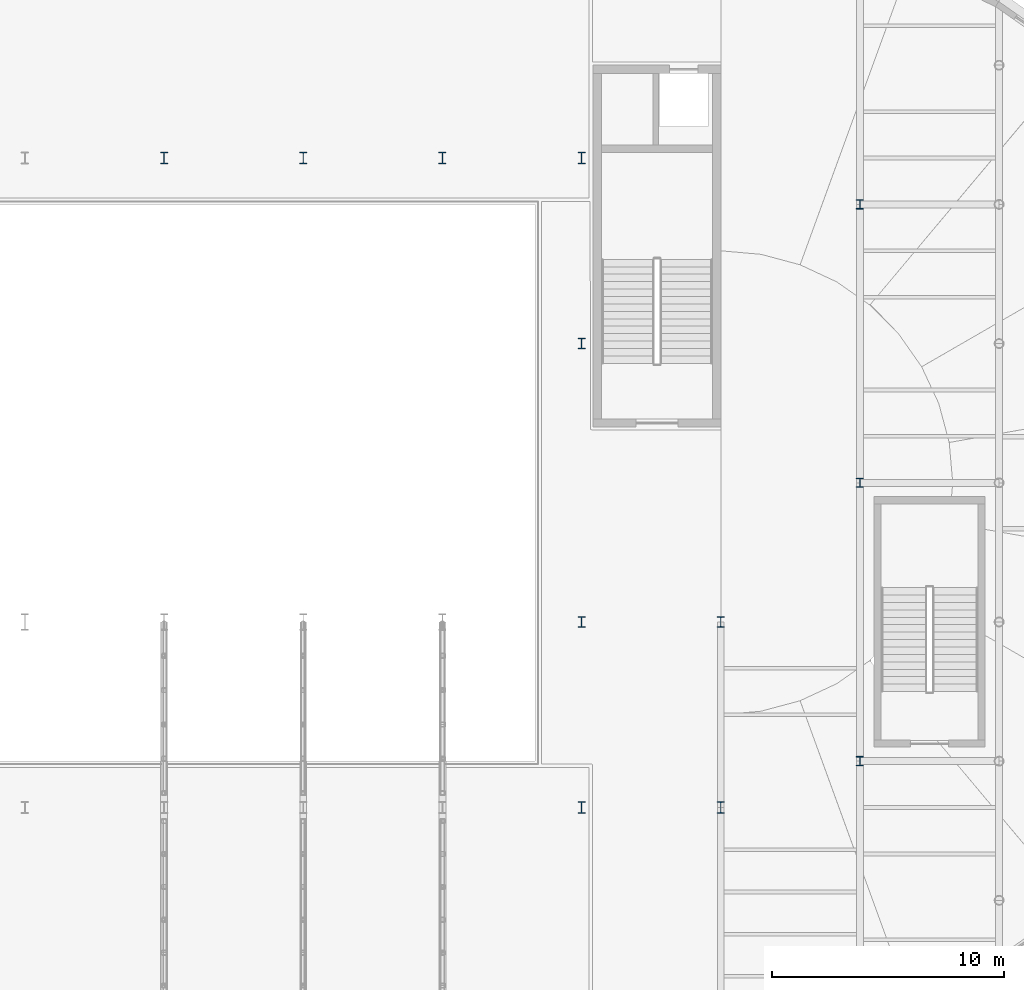
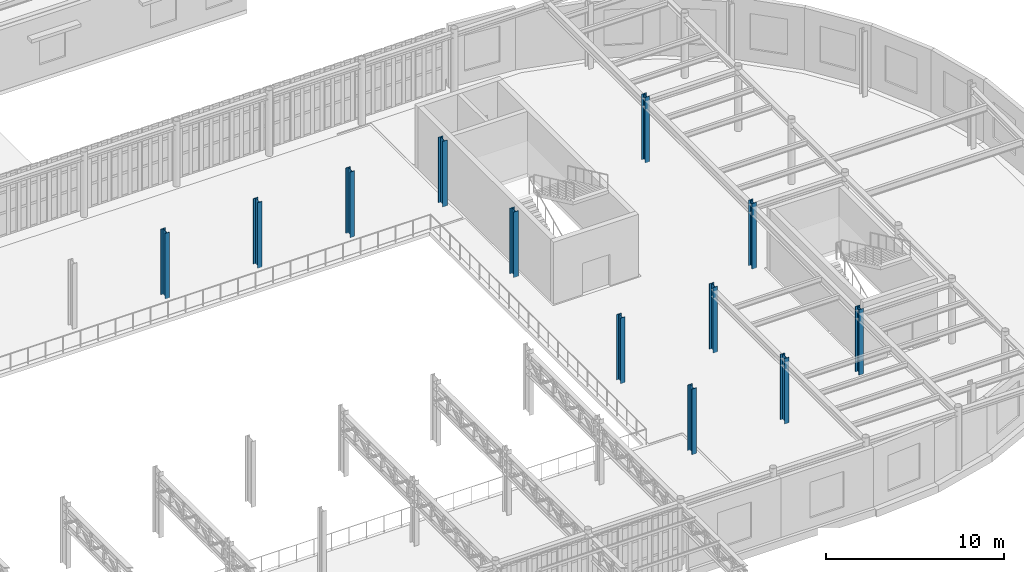
# One storey, part 8 of 91: 12 columns.
"""IFC4 building model written with IfcOpenShell, lengths in metres."""

from ifc_helpers import new_model, si_unit, direction, frame, origin, origin_2d, place, context, subcontext, project, spatial, i_section, extrude, material, material_profile, profile_set, type_object, element, save


model = new_model("IFC4")

# Units and contexts
model_context = context("Model", 3, precision=1e-05, world=origin(), true_north=direction((0.0, 1.0)))
body_context = subcontext(model_context, "Body", "Model", "MODEL_VIEW")
ifc_project = project(units=[si_unit("LENGTHUNIT", "METRE"), si_unit("AREAUNIT", "SQUARE_METRE"), si_unit("VOLUMEUNIT", "CUBIC_METRE"), si_unit("PLANEANGLEUNIT", "RADIAN"), si_unit("MASSUNIT", "GRAM", prefix="KILO")], contexts=[model_context])

# Site, building, storey
site_placement = place(None, origin())
site = spatial("IfcSite", under=ifc_project, at=site_placement, CompositionType="ELEMENT")
building_placement = place(site_placement, origin())
building = spatial("IfcBuilding", under=site, at=building_placement, Name="Kolvaren Corner Interchange", CompositionType="ELEMENT")
storey_placement = place(building_placement, frame((0.0, 0.0, 6.0)))
storey = spatial("IfcBuildingStorey", under=building, at=storey_placement, Name="L02", CompositionType="ELEMENT", Elevation=6.0)

# Columns
ifc_material_1 = material(Name="Steel S355", Category="steel")
ifc_material_profile_1 = material_profile(ifc_material_1, i_section(OverallWidth=0.300048828125, OverallDepth=0.39990234375, WebThickness=0.013427734375, FlangeThickness=0.02392578125, FilletRadius=0.027099609375, at=origin_2d()), Name="HEB 400")
ifc_profile_set_1 = profile_set([ifc_material_profile_1], Name="Steel S355")
column_type_1 = type_object("IfcColumnType", Name="COL-HEB400", PredefinedType="COLUMN", material=ifc_profile_set_1)
for number, where, z_axis, x_axis, name in (
    (1, (126.0, 36.0, 0.0), (0.0, 0.0, 1.0), (1.0, 0.0, 0.0), "Storey L02 Structural Column 0736"),
    (2, (126.0, 48.0, 0.0), (0.0, 0.0, 1.0), (1.0, 0.0, 0.0), "Storey L02 Structural Column 0739"),
    (3, (126.0, 60.0, 0.0), (0.0, 0.0, 1.0), (1.0, 0.0, 0.0), "Storey L02 Structural Column 0742"),
):
    element("IfcColumn", number, at=place(storey_placement, frame(where, z_axis=z_axis, x_axis=x_axis)), inside=storey, type_object=column_type_1, Name=name, PredefinedType="COLUMN", context=body_context, shape_type="SweptSolid", body=[
        extrude(i_section(OverallWidth=0.300048828125, OverallDepth=0.39990234375, WebThickness=0.013427734375, FlangeThickness=0.02392578125, FilletRadius=0.027099609375, at=origin_2d()), origin(), (0.0, 0.0, 1.0), 4.5),
    ])
ifc_material_2 = material(Name="Steel S355", Category="steel")
ifc_material_profile_2 = material_profile(ifc_material_2, i_section(OverallWidth=0.300048828125, OverallDepth=0.449951171875, WebThickness=0.013916015625, FlangeThickness=0.02587890625, FilletRadius=0.027099609375, at=origin_2d()), Name="HEB 450")
ifc_profile_set_2 = profile_set([ifc_material_profile_2], Name="Steel S355")
column_type_2 = type_object("IfcColumnType", Name="COL-HEB450", PredefinedType="COLUMN", material=ifc_profile_set_2)
for number, where, z_axis, x_axis, name in (
    (4, (114.0, 42.0, 0.0), (0.0, 0.0, 1.0), (1.0, 0.0, 0.0), "Storey L02 Structural Column 0652"),
    (5, (114.0, 54.0, 0.0), (0.0, 0.0, 1.0), (1.0, 0.0, 0.0), "Storey L02 Structural Column 0655"),
    (6, (120.0, 42.0, 0.0), (0.0, 0.0, 1.0), (1.0, 0.0, 0.0), "Storey L02 Structural Column 0672"),
):
    element("IfcColumn", number, at=place(storey_placement, frame(where, z_axis=z_axis, x_axis=x_axis)), inside=storey, type_object=column_type_2, Name=name, PredefinedType="COLUMN", context=body_context, shape_type="SweptSolid", body=[
        extrude(i_section(OverallWidth=0.300048828125, OverallDepth=0.449951171875, WebThickness=0.013916015625, FlangeThickness=0.02587890625, FilletRadius=0.027099609375, at=origin_2d()), origin(), (0.0, 0.0, 1.0), 4.5),
    ])
ifc_material_3 = material(Name="Steel S355", Category="steel")
ifc_material_profile_3 = material_profile(ifc_material_3, i_section(OverallWidth=0.300048828125, OverallDepth=0.5, WebThickness=0.014404296875, FlangeThickness=0.028076171875, FilletRadius=0.027099609375, at=origin_2d()), Name="HEB 500")
ifc_profile_set_3 = profile_set([ifc_material_profile_3], Name="Steel S355")
column_type_3 = type_object("IfcColumnType", Name="COL-HEB500", PredefinedType="COLUMN", material=ifc_profile_set_3)
for number, where, z_axis, x_axis, name in (
    (7, (96.0, 62.0, 0.0), (0.0, 0.0, 1.0), (1.0, 0.0, 0.0), "Storey L02 Structural Column 0598"),
    (8, (102.0, 62.0, 0.0), (0.0, 0.0, 1.0), (1.0, 0.0, 0.0), "Storey L02 Structural Column 0618"),
    (9, (108.0, 62.0, 0.0), (0.0, 0.0, 1.0), (1.0, 0.0, 0.0), "Storey L02 Structural Column 0638"),
    (10, (114.0, 34.0, 0.0), (0.0, 0.0, 1.0), (1.0, 0.0, 0.0), "Storey L02 Structural Column 0649"),
    (11, (114.0, 62.0, 0.0), (0.0, 0.0, 1.0), (1.0, 0.0, 0.0), "Storey L02 Structural Column 0658"),
    (12, (120.0, 34.0, 0.0), (0.0, 0.0, 1.0), (1.0, 0.0, 0.0), "Storey L02 Structural Column 0669"),
):
    element("IfcColumn", number, at=place(storey_placement, frame(where, z_axis=z_axis, x_axis=x_axis)), inside=storey, type_object=column_type_3, Name=name, PredefinedType="COLUMN", context=body_context, shape_type="SweptSolid", body=[
        extrude(i_section(OverallWidth=0.300048828125, OverallDepth=0.5, WebThickness=0.014404296875, FlangeThickness=0.028076171875, FilletRadius=0.027099609375, at=origin_2d()), origin(), (0.0, 0.0, 1.0), 4.5),
    ])

save(model, "model.ifc")
